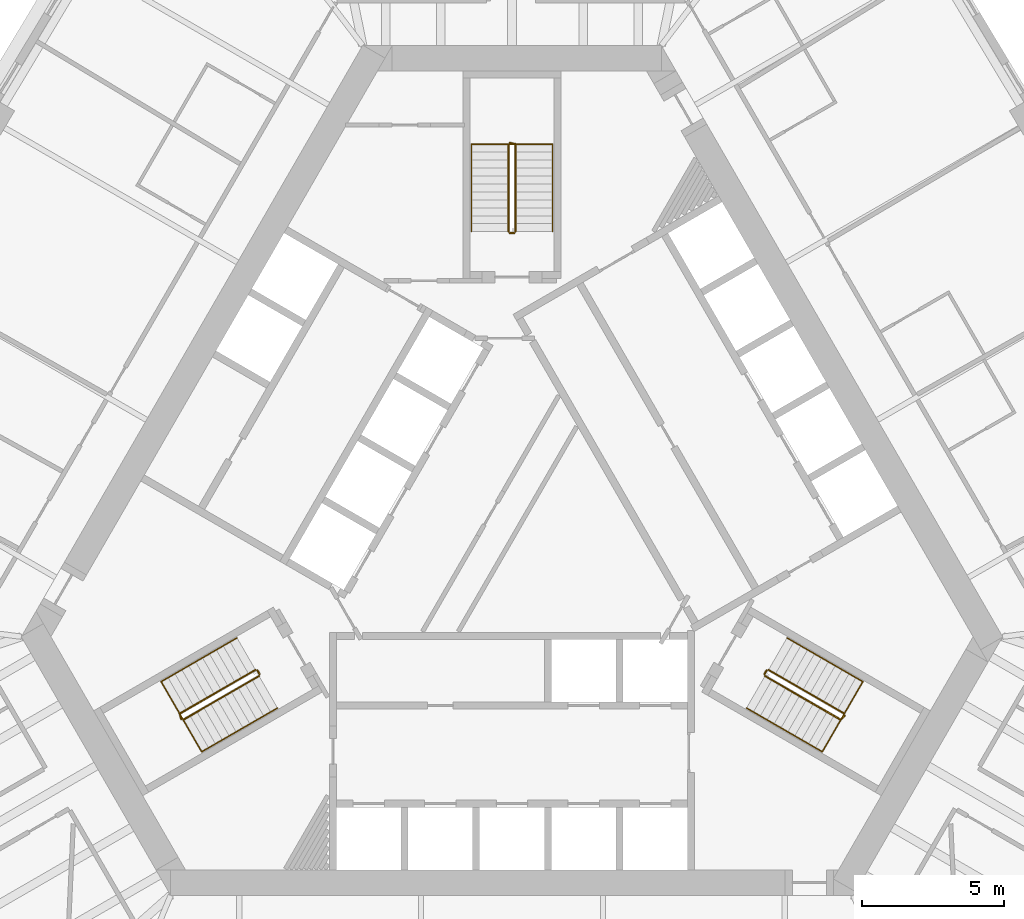
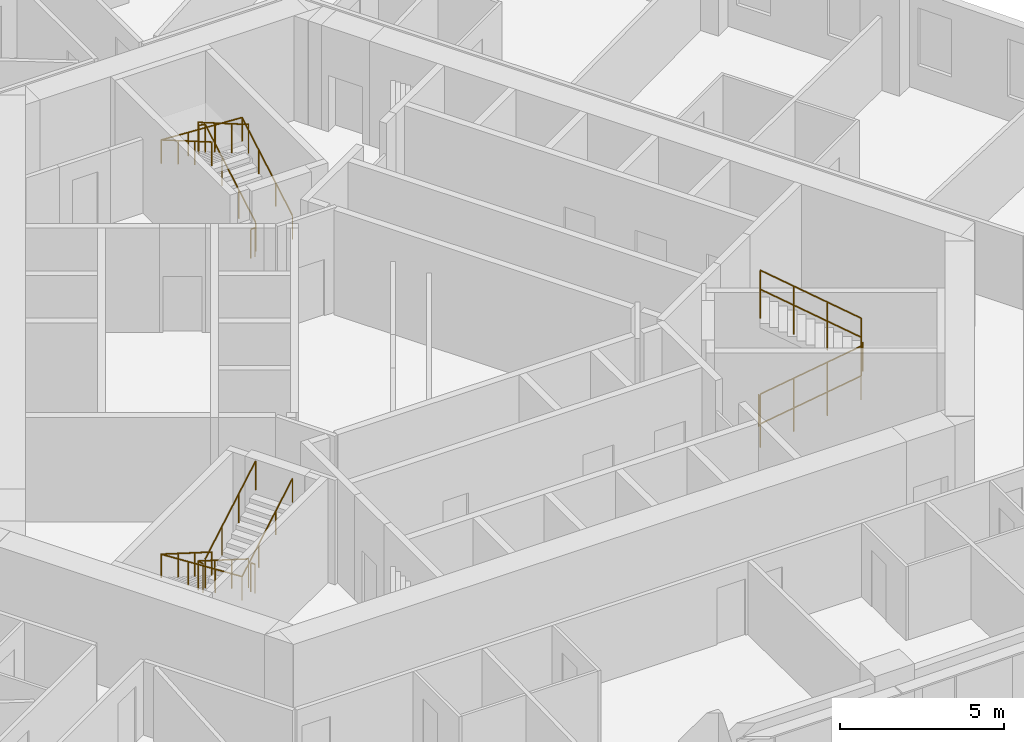
# One storey, part 12 of 12: 12 railings.
"""IFC4 building model written with IfcOpenShell, lengths in metres."""

from ifc_helpers import new_model, si_unit, direction, frame, origin, origin_2d, place, context, subcontext, project, spatial, circle, extrude, material, type_object, element, save


model = new_model("IFC4")

# Units and contexts
model_context = context("Model", 3, precision=1e-05, world=origin(), true_north=direction((0.0, 1.0)))
body_context = subcontext(model_context, "Body", "Model", "MODEL_VIEW")
ifc_project = project(units=[si_unit("LENGTHUNIT", "METRE"), si_unit("AREAUNIT", "SQUARE_METRE"), si_unit("VOLUMEUNIT", "CUBIC_METRE"), si_unit("PLANEANGLEUNIT", "RADIAN"), si_unit("MASSUNIT", "GRAM", prefix="KILO")], contexts=[model_context])

# Site, building, storey
site_placement = place(None, origin())
site = spatial("IfcSite", under=ifc_project, at=site_placement, CompositionType="ELEMENT")
building_placement = place(site_placement, origin())
building = spatial("IfcBuilding", under=site, at=building_placement, Name="Mestral Congress Tower", CompositionType="ELEMENT")
storey_placement = place(building_placement, frame((0.0, 0.0, 66.60009765625)))
storey = spatial("IfcBuildingStorey", under=building, at=storey_placement, Name="L15", CompositionType="ELEMENT", Elevation=66.60009765625)

# Railings
ifc_material_1 = material(Name="Steel balustrade", Category="steel")
railing_type_1 = type_object("IfcRailingType", Name="Stair guard 1100", PredefinedType="GUARDRAIL", material=ifc_material_1)
railing_1_placement = place(storey_placement, frame((8.90087890625, -5.283203125, 0.162353515625)))
element("IfcRailing", 1, at=railing_1_placement, inside=storey, type_object=railing_type_1, Name="L15 ST1 stair guard 1", PredefinedType="GUARDRAIL", context=body_context, shape_type="SweptSolid", body=[
    extrude(circle(Radius=0.02392578125, at=origin_2d()), frame((0.0, 0.0, 1.076171875), z_axis=(0.748993966903, -0.432462603499, 0.501980212875), x_axis=(0.500026652407, 0.866010015463, 0.0)), (0.0, 0.0, 1.0), 3.56103515625),
    extrude(circle(Radius=0.02392578125, at=origin_2d()), frame((2.667236328125, -1.5400390625, 2.86376953125), z_axis=(0.695164929852, 0.718850276695, 0.0), x_axis=(-0.718850276695, 0.695164929852, 0.0)), (0.0, 0.0, 1.0), 0.2060546875),
    extrude(circle(Radius=0.02099609375, at=origin_2d()), origin(), (0.0, 0.0, 1.0), 1.052001953125),
    extrude(circle(Radius=0.02099609375, at=origin_2d()), frame((0.88916015625, -0.513427734375, 0.595947265625)), (0.0, 0.0, 1.0), 1.052001953125),
    extrude(circle(Radius=0.02099609375, at=origin_2d()), frame((1.778076171875, -1.026611328125, 1.191650390625)), (0.0, 0.0, 1.0), 1.052001953125),
    extrude(circle(Radius=0.02099609375, at=origin_2d()), frame((2.667236328125, -1.5400390625, 1.78759765625)), (0.0, 0.0, 1.0), 1.052001953125),
    extrude(circle(Radius=0.02099609375, at=origin_2d()), frame((2.810546875, -1.391845703125, 1.78759765625)), (0.0, 0.0, 1.0), 1.052001953125),
])
railing_2_placement = place(storey_placement, frame((11.693115234375, -6.606689453125, 2.1123046875)))
element("IfcRailing", 2, at=railing_2_placement, inside=storey, type_object=railing_type_1, Name="L15 ST1 stair guard 2", PredefinedType="GUARDRAIL", context=body_context, shape_type="SweptSolid", body=[
    extrude(circle(Radius=0.02392578125, at=origin_2d()), frame((0.0, 0.0, 1.076171875), z_axis=(-0.748993966903, 0.432462603499, 0.501980212875), x_axis=(-0.500026652407, -0.866010015463, 0.0)), (0.0, 0.0, 1.0), 3.56103515625),
    extrude(circle(Radius=0.02099609375, at=origin_2d()), origin(), (0.0, 0.0, 1.0), 1.052001953125),
    extrude(circle(Radius=0.02099609375, at=origin_2d()), frame((-0.88916015625, 0.513427734375, 0.595947265625)), (0.0, 0.0, 1.0), 1.052001953125),
    extrude(circle(Radius=0.02099609375, at=origin_2d()), frame((-1.778076171875, 1.026611328125, 1.191650390625)), (0.0, 0.0, 1.0), 1.052001953125),
    extrude(circle(Radius=0.02099609375, at=origin_2d()), frame((-2.667236328125, 1.5400390625, 1.78759765625)), (0.0, 0.0, 1.0), 1.052001953125),
])
railing_3_placement = place(storey_placement, frame((8.882568359375, -5.21484375, 0.0)))
element("IfcRailing", 3, at=railing_3_placement, inside=storey, type_object=railing_type_1, Name="L15 ST1 stair guard 3", PredefinedType="GUARDRAIL", context=body_context, shape_type="SweptSolid", body=[
    extrude(circle(Radius=0.02392578125, at=origin_2d()), frame((0.0, 0.0, 1.076171875), z_axis=(0.499816412211, 0.866131372301, 0.0), x_axis=(-0.866131372301, 0.499816412211, 0.0)), (0.0, 0.0, 1.0), 0.14990234375),
    extrude(circle(Radius=0.02099609375, at=origin_2d()), origin(), (0.0, 0.0, 1.0), 1.052001953125),
    extrude(circle(Radius=0.02099609375, at=origin_2d()), frame((0.074951171875, 0.1298828125, 0.0)), (0.0, 0.0, 1.0), 1.052001953125),
])
railing_4_placement = place(storey_placement, frame((0.125, 10.35009765625, 0.162353515625)))
element("IfcRailing", 4, at=railing_4_placement, inside=storey, type_object=railing_type_1, Name="L15 ST2 stair guard 1", PredefinedType="GUARDRAIL", context=body_context, shape_type="SweptSolid", body=[
    extrude(circle(Radius=0.02392578125, at=origin_2d()), frame((0.0, 0.0, 1.076171875), z_axis=(0.0, 0.864873446163, 0.501989962173), x_axis=(-1.0, 0.0, 0.0)), (0.0, 0.0, 1.0), 3.56103515625),
    extrude(circle(Radius=0.02392578125, at=origin_2d()), frame((0.0, 3.079833984375, 2.86376953125), z_axis=(-0.970072785993, 0.242814311512, 0.0), x_axis=(-0.242814311512, -0.970072785993, 0.0)), (0.0, 0.0, 1.0), 0.2060546875),
    extrude(circle(Radius=0.02099609375, at=origin_2d()), origin(), (0.0, 0.0, 1.0), 1.052001953125),
    extrude(circle(Radius=0.02099609375, at=origin_2d()), frame((0.0, 1.026611328125, 0.595947265625)), (0.0, 0.0, 1.0), 1.052001953125),
    extrude(circle(Radius=0.02099609375, at=origin_2d()), frame((0.0, 2.05322265625, 1.191650390625)), (0.0, 0.0, 1.0), 1.052001953125),
    extrude(circle(Radius=0.02099609375, at=origin_2d()), frame((0.0, 3.079833984375, 1.78759765625)), (0.0, 0.0, 1.0), 1.052001953125),
    extrude(circle(Radius=0.02099609375, at=origin_2d()), frame((-0.199951171875, 3.1298828125, 1.78759765625)), (0.0, 0.0, 1.0), 1.052001953125),
])
railing_5_placement = place(storey_placement, frame((-0.125, 13.429931640625, 2.1123046875)))
element("IfcRailing", 5, at=railing_5_placement, inside=storey, type_object=railing_type_1, Name="L15 ST2 stair guard 2", PredefinedType="GUARDRAIL", context=body_context, shape_type="SweptSolid", body=[
    extrude(circle(Radius=0.02392578125, at=origin_2d()), frame((0.0, 0.0, 1.076171875), z_axis=(0.0, -0.864873446163, 0.501989962173), x_axis=(1.0, 0.0, 0.0)), (0.0, 0.0, 1.0), 3.56103515625),
    extrude(circle(Radius=0.02099609375, at=origin_2d()), origin(), (0.0, 0.0, 1.0), 1.052001953125),
    extrude(circle(Radius=0.02099609375, at=origin_2d()), frame((0.0, -1.026611328125, 0.595947265625)), (0.0, 0.0, 1.0), 1.052001953125),
    extrude(circle(Radius=0.02099609375, at=origin_2d()), frame((0.0, -2.05322265625, 1.191650390625)), (0.0, 0.0, 1.0), 1.052001953125),
    extrude(circle(Radius=0.02099609375, at=origin_2d()), frame((0.0, -3.079833984375, 1.78759765625)), (0.0, 0.0, 1.0), 1.052001953125),
])
railing_6_placement = place(storey_placement, frame((0.074951171875, 10.300048828125, 0.0)))
element("IfcRailing", 6, at=railing_6_placement, inside=storey, type_object=railing_type_1, Name="L15 ST2 stair guard 3", PredefinedType="GUARDRAIL", context=body_context, shape_type="SweptSolid", body=[
    extrude(circle(Radius=0.02392578125, at=origin_2d()), frame((0.0, 0.0, 1.076171875), z_axis=(-1.0, 0.0, 0.0), x_axis=(0.0, -1.0, 0.0)), (0.0, 0.0, 1.0), 0.14990234375),
    extrude(circle(Radius=0.02099609375, at=origin_2d()), origin(), (0.0, 0.0, 1.0), 1.052001953125),
    extrude(circle(Radius=0.02099609375, at=origin_2d()), frame((-0.14990234375, 0.0, 0.0)), (0.0, 0.0, 1.0), 1.052001953125),
])
railing_7_placement = place(storey_placement, frame((-9.02587890625, -5.066650390625, 0.162353515625)))
element("IfcRailing", 7, at=railing_7_placement, inside=storey, type_object=railing_type_1, Name="L15 ST3 stair guard 1", PredefinedType="GUARDRAIL", context=body_context, shape_type="SweptSolid", body=[
    extrude(circle(Radius=0.02392578125, at=origin_2d()), frame((0.0, 0.0, 1.076171875), z_axis=(-0.748993966903, -0.432462603499, 0.501980212875), x_axis=(0.500026652407, -0.866010015463, 0.0)), (0.0, 0.0, 1.0), 3.56103515625),
    extrude(circle(Radius=0.02392578125, at=origin_2d()), frame((-2.667236328125, -1.5400390625, 2.86376953125), z_axis=(0.274721127897, -0.961523947641, 0.0), x_axis=(0.961523947641, 0.274721127897, 0.0)), (0.0, 0.0, 1.0), 0.2060546875),
    extrude(circle(Radius=0.02099609375, at=origin_2d()), origin(), (0.0, 0.0, 1.0), 1.052001953125),
    extrude(circle(Radius=0.02099609375, at=origin_2d()), frame((-0.88916015625, -0.513427734375, 0.595947265625)), (0.0, 0.0, 1.0), 1.052001953125),
    extrude(circle(Radius=0.02099609375, at=origin_2d()), frame((-1.778076171875, -1.026611328125, 1.191650390625)), (0.0, 0.0, 1.0), 1.052001953125),
    extrude(circle(Radius=0.02099609375, at=origin_2d()), frame((-2.667236328125, -1.5400390625, 1.78759765625)), (0.0, 0.0, 1.0), 1.052001953125),
    extrude(circle(Radius=0.02099609375, at=origin_2d()), frame((-2.610595703125, -1.73828125, 1.78759765625)), (0.0, 0.0, 1.0), 1.052001953125),
])
railing_8_placement = place(storey_placement, frame((-11.568115234375, -6.8232421875, 2.1123046875)))
element("IfcRailing", 8, at=railing_8_placement, inside=storey, type_object=railing_type_1, Name="L15 ST3 stair guard 2", PredefinedType="GUARDRAIL", context=body_context, shape_type="SweptSolid", body=[
    extrude(circle(Radius=0.02392578125, at=origin_2d()), frame((0.0, 0.0, 1.076171875), z_axis=(0.748993966903, 0.432462603499, 0.501980212875), x_axis=(-0.500026652407, 0.866010015463, 0.0)), (0.0, 0.0, 1.0), 3.56103515625),
    extrude(circle(Radius=0.02099609375, at=origin_2d()), origin(), (0.0, 0.0, 1.0), 1.052001953125),
    extrude(circle(Radius=0.02099609375, at=origin_2d()), frame((0.88916015625, 0.513427734375, 0.595947265625)), (0.0, 0.0, 1.0), 1.052001953125),
    extrude(circle(Radius=0.02099609375, at=origin_2d()), frame((1.778076171875, 1.026611328125, 1.191650390625)), (0.0, 0.0, 1.0), 1.052001953125),
    extrude(circle(Radius=0.02099609375, at=origin_2d()), frame((2.667236328125, 1.5400390625, 1.78759765625)), (0.0, 0.0, 1.0), 1.052001953125),
])
railing_9_placement = place(storey_placement, frame((-8.95751953125, -5.0849609375, 0.0)))
element("IfcRailing", 9, at=railing_9_placement, inside=storey, type_object=railing_type_1, Name="L15 ST3 stair guard 3", PredefinedType="GUARDRAIL", context=body_context, shape_type="SweptSolid", body=[
    extrude(circle(Radius=0.02392578125, at=origin_2d()), frame((0.0, 0.0, 1.076171875), z_axis=(0.499816412211, -0.866131372301, 0.0), x_axis=(0.866131372301, 0.499816412211, 0.0)), (0.0, 0.0, 1.0), 0.14990234375),
    extrude(circle(Radius=0.02099609375, at=origin_2d()), origin(), (0.0, 0.0, 1.0), 1.052001953125),
    extrude(circle(Radius=0.02099609375, at=origin_2d()), frame((0.074951171875, -0.1298828125, 0.0)), (0.0, 0.0, 1.0), 1.052001953125),
])
ifc_material_2 = material(Name="Steel handrail", Category="steel")
railing_type_2 = type_object("IfcRailingType", Name="Stair handrail 900", PredefinedType="HANDRAIL", material=ifc_material_2)
railing_10_placement = place(storey_placement, frame((8.2509765625, -6.4091796875, 0.162353515625)))
element("IfcRailing", 10, at=railing_10_placement, inside=storey, type_object=railing_type_2, Name="L15 ST1 stair handrail 1", PredefinedType="HANDRAIL", context=body_context, shape_type="SweptSolid", body=[
    extrude(circle(Radius=0.02392578125, at=origin_2d()), frame((0.0, 0.0, 0.8759765625), z_axis=(0.749016172816, -0.432406865167, 0.50199509541), x_axis=(0.499967199496, 0.866044340336, 0.0)), (0.0, 0.0, 1.0), 3.56103515625),
    extrude(circle(Radius=0.02392578125, at=origin_2d()), frame((2.667236328125, -1.539794921875, 2.66357421875), z_axis=(0.499226936105, 0.864602552182, 0.056876120012), x_axis=(-0.866004402611, 0.500036373335, 0.0)), (0.0, 0.0, 1.0), 2.8544921875),
    extrude(circle(Radius=0.02392578125, at=origin_2d()), frame((4.09228515625, 0.92822265625, 2.82568359375), z_axis=(-0.74902406201, 0.432440397507, 0.501954437309), x_axis=(-0.499992328818, -0.866029832698, 0.0)), (0.0, 0.0, 1.0), 3.561279296875),
    extrude(circle(Radius=0.02099609375, at=origin_2d()), origin(), (0.0, 0.0, 1.0), 0.851806640625),
    extrude(circle(Radius=0.02099609375, at=origin_2d()), frame((0.88916015625, -0.51318359375, 0.595947265625)), (0.0, 0.0, 1.0), 0.851806640625),
    extrude(circle(Radius=0.02099609375, at=origin_2d()), frame((1.778076171875, -1.026611328125, 1.191650390625)), (0.0, 0.0, 1.0), 0.851806640625),
    extrude(circle(Radius=0.02099609375, at=origin_2d()), frame((2.667236328125, -1.539794921875, 1.78759765625)), (0.0, 0.0, 1.0), 0.851806640625),
    extrude(circle(Radius=0.02099609375, at=origin_2d()), frame((3.142333984375, -0.717041015625, 1.841796875)), (0.0, 0.0, 1.0), 0.851806640625),
    extrude(circle(Radius=0.02099609375, at=origin_2d()), frame((3.6171875, 0.10546875, 1.895751953125)), (0.0, 0.0, 1.0), 0.851806640625),
    extrude(circle(Radius=0.02099609375, at=origin_2d()), frame((4.09228515625, 0.92822265625, 1.949951171875)), (0.0, 0.0, 1.0), 0.851806640625),
    extrude(circle(Radius=0.02099609375, at=origin_2d()), frame((3.203125, 1.441650390625, 2.5458984375)), (0.0, 0.0, 1.0), 0.851806640625),
    extrude(circle(Radius=0.02099609375, at=origin_2d()), frame((2.31396484375, 1.954833984375, 3.1416015625)), (0.0, 0.0, 1.0), 0.851806640625),
    extrude(circle(Radius=0.02099609375, at=origin_2d()), frame((1.4248046875, 2.46826171875, 3.737548828125)), (0.0, 0.0, 1.0), 0.851806640625),
])
railing_11_placement = place(storey_placement, frame((1.425048828125, 10.35009765625, 0.162353515625)))
element("IfcRailing", 11, at=railing_11_placement, inside=storey, type_object=railing_type_2, Name="L15 ST2 stair handrail 1", PredefinedType="HANDRAIL", context=body_context, shape_type="SweptSolid", body=[
    extrude(circle(Radius=0.02392578125, at=origin_2d()), frame((0.0, 0.0, 0.8759765625), z_axis=(0.0, 0.864873446163, 0.501989962173), x_axis=(-1.0, 0.0, 0.0)), (0.0, 0.0, 1.0), 3.56103515625),
    extrude(circle(Radius=0.02392578125, at=origin_2d()), frame((0.0, 3.079833984375, 2.66357421875), z_axis=(-0.998381478221, 0.0, 0.056871996147), x_axis=(0.0, -1.0, 0.0)), (0.0, 0.0, 1.0), 2.854736328125),
    extrude(circle(Radius=0.02392578125, at=origin_2d()), frame((-2.85009765625, 3.079833984375, 2.82568359375), z_axis=(0.0, -0.864873446163, 0.501989962173), x_axis=(1.0, 0.0, 0.0)), (0.0, 0.0, 1.0), 3.56103515625),
    extrude(circle(Radius=0.02099609375, at=origin_2d()), origin(), (0.0, 0.0, 1.0), 0.851806640625),
    extrude(circle(Radius=0.02099609375, at=origin_2d()), frame((0.0, 1.026611328125, 0.595947265625)), (0.0, 0.0, 1.0), 0.851806640625),
    extrude(circle(Radius=0.02099609375, at=origin_2d()), frame((0.0, 2.05322265625, 1.191650390625)), (0.0, 0.0, 1.0), 0.851806640625),
    extrude(circle(Radius=0.02099609375, at=origin_2d()), frame((0.0, 3.079833984375, 1.78759765625)), (0.0, 0.0, 1.0), 0.851806640625),
    extrude(circle(Radius=0.02099609375, at=origin_2d()), frame((-0.949951171875, 3.079833984375, 1.841796875)), (0.0, 0.0, 1.0), 0.851806640625),
    extrude(circle(Radius=0.02099609375, at=origin_2d()), frame((-1.900146484375, 3.079833984375, 1.895751953125)), (0.0, 0.0, 1.0), 0.851806640625),
    extrude(circle(Radius=0.02099609375, at=origin_2d()), frame((-2.85009765625, 3.079833984375, 1.949951171875)), (0.0, 0.0, 1.0), 0.851806640625),
    extrude(circle(Radius=0.02099609375, at=origin_2d()), frame((-2.85009765625, 2.05322265625, 2.5458984375)), (0.0, 0.0, 1.0), 0.851806640625),
    extrude(circle(Radius=0.02099609375, at=origin_2d()), frame((-2.85009765625, 1.026611328125, 3.1416015625)), (0.0, 0.0, 1.0), 0.851806640625),
    extrude(circle(Radius=0.02099609375, at=origin_2d()), frame((-2.85009765625, 0.0, 3.737548828125)), (0.0, 0.0, 1.0), 0.851806640625),
])
railing_12_placement = place(storey_placement, frame((-9.67578125, -3.94091796875, 0.162353515625)))
element("IfcRailing", 12, at=railing_12_placement, inside=storey, type_object=railing_type_2, Name="L15 ST3 stair handrail 1", PredefinedType="HANDRAIL", context=body_context, shape_type="SweptSolid", body=[
    extrude(circle(Radius=0.02392578125, at=origin_2d()), frame((0.0, 0.0, 0.8759765625), z_axis=(-0.74902406201, -0.432440397507, 0.501954437309), x_axis=(0.499992328818, -0.866029832698, 0.0)), (0.0, 0.0, 1.0), 3.561279296875),
    extrude(circle(Radius=0.02392578125, at=origin_2d()), frame((-2.66748046875, -1.5400390625, 2.66357421875), z_axis=(0.499226936105, -0.864602552182, 0.056876120012), x_axis=(0.866004402611, 0.500036373335, 0.0)), (0.0, 0.0, 1.0), 2.8544921875),
    extrude(circle(Radius=0.02392578125, at=origin_2d()), frame((-1.242431640625, -4.008056640625, 2.82568359375), z_axis=(0.749016172816, 0.432406865167, 0.50199509541), x_axis=(-0.499967199496, 0.866044340336, 0.0)), (0.0, 0.0, 1.0), 3.56103515625),
    extrude(circle(Radius=0.02099609375, at=origin_2d()), origin(), (0.0, 0.0, 1.0), 0.851806640625),
    extrude(circle(Radius=0.02099609375, at=origin_2d()), frame((-0.88916015625, -0.513427734375, 0.595947265625)), (0.0, 0.0, 1.0), 0.851806640625),
    extrude(circle(Radius=0.02099609375, at=origin_2d()), frame((-1.7783203125, -1.026611328125, 1.191650390625)), (0.0, 0.0, 1.0), 0.851806640625),
    extrude(circle(Radius=0.02099609375, at=origin_2d()), frame((-2.66748046875, -1.5400390625, 1.78759765625)), (0.0, 0.0, 1.0), 0.851806640625),
    extrude(circle(Radius=0.02099609375, at=origin_2d()), frame((-2.1923828125, -2.36279296875, 1.841796875)), (0.0, 0.0, 1.0), 0.851806640625),
    extrude(circle(Radius=0.02099609375, at=origin_2d()), frame((-1.717529296875, -3.185302734375, 1.895751953125)), (0.0, 0.0, 1.0), 0.851806640625),
    extrude(circle(Radius=0.02099609375, at=origin_2d()), frame((-1.242431640625, -4.008056640625, 1.949951171875)), (0.0, 0.0, 1.0), 0.851806640625),
    extrude(circle(Radius=0.02099609375, at=origin_2d()), frame((-0.353271484375, -3.494873046875, 2.5458984375)), (0.0, 0.0, 1.0), 0.851806640625),
    extrude(circle(Radius=0.02099609375, at=origin_2d()), frame((0.53564453125, -2.9814453125, 3.1416015625)), (0.0, 0.0, 1.0), 0.851806640625),
    extrude(circle(Radius=0.02099609375, at=origin_2d()), frame((1.4248046875, -2.46826171875, 3.737548828125)), (0.0, 0.0, 1.0), 0.851806640625),
])

save(model, "model.ifc")
